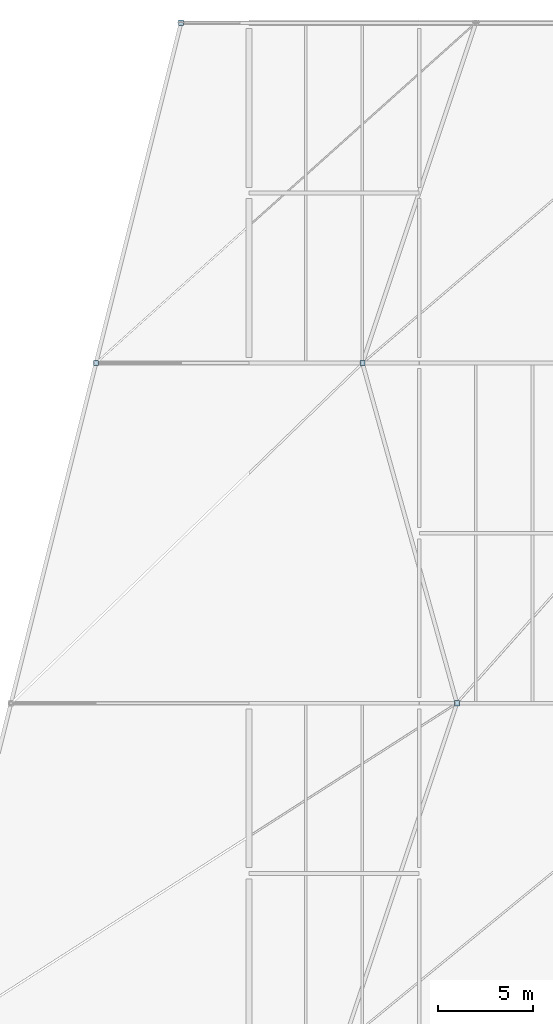
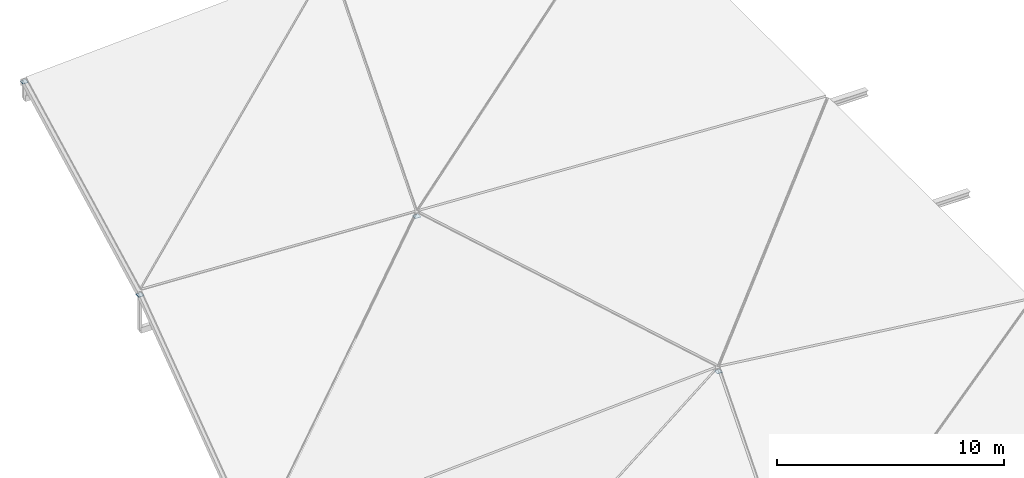
# One storey, part 16 of 18: 4 plates.
"""IFC4 building model written with IfcOpenShell, lengths in metres."""

from ifc_helpers import new_model, si_unit, direction, frame, origin, origin_2d, place, context, subcontext, project, spatial, rectangle, extrude, material, layer, layer_set, type_object, element, save


model = new_model("IFC4")

# Units and contexts
model_context = context("Model", 3, precision=1e-05, world=origin(), true_north=direction((0.0, 1.0)))
body_context = subcontext(model_context, "Body", "Model", "MODEL_VIEW")
ifc_project = project(units=[si_unit("LENGTHUNIT", "METRE"), si_unit("AREAUNIT", "SQUARE_METRE"), si_unit("VOLUMEUNIT", "CUBIC_METRE"), si_unit("PLANEANGLEUNIT", "RADIAN"), si_unit("MASSUNIT", "GRAM", prefix="KILO")], contexts=[model_context])

# Site, building, storey
site_placement = place(None, origin())
site = spatial("IfcSite", under=ifc_project, at=site_placement, CompositionType="ELEMENT")
building_placement = place(site_placement, origin())
building = spatial("IfcBuilding", under=site, at=building_placement, Name="Deido Ridge Mobility Hub", CompositionType="ELEMENT")
storey_placement = place(building_placement, frame((0.0, 0.0, 29.39990234375)))
storey = spatial("IfcBuildingStorey", under=building, at=storey_placement, Name="RF", CompositionType="ELEMENT", Elevation=29.39990234375)

# Plates
ifc_material = material(Name="Steel S355J2 EN 10025-2", Category="steel")
ifc_layer = layer(ifc_material, 0.02197265625, Name="Steel S355J2 EN 10025-2")
ifc_layer_set = layer_set([ifc_layer], Name="Steel S355J2 EN 10025-2")
plate_type = type_object("IfcPlateType", Name="PLT-CAP-22", PredefinedType="USERDEFINED", material=ifc_layer_set)
for number, where, z_axis, x_axis, name in (
    (1, (164.0, 18.0, 1.9541015625), (0.0, 0.0, 1.0), (1.0, 0.0, 0.0), "Hollow member sealed end-cap plate EC2-251"),
    (2, (144.89990234375, 36.0, 1.85400390625), (0.0, 0.0, 1.0), (1.0, 0.0, 0.0), "Hollow member sealed end-cap plate EC2-252"),
    (3, (159.0, 36.0, 1.154052734375), (0.0, 0.0, 1.0), (1.0, 0.0, 0.0), "Hollow member sealed end-cap plate EC2-253"),
    (4, (149.39990234375, 54.0, 0.85400390625), (0.0, 0.0, 1.0), (1.0, 0.0, 0.0), "Hollow member sealed end-cap plate EC2-254"),
):
    element("IfcPlate", number, at=place(storey_placement, frame(where, z_axis=z_axis, x_axis=x_axis)), inside=storey, type_object=plate_type, Name=name, ObjectType="END CAP PLATE", PredefinedType="USERDEFINED", context=body_context, shape_type="SweptSolid", body=[
        extrude(rectangle(XDim=0.280029296875, YDim=0.280029296875, at=origin_2d()), origin(), (0.0, 0.0, 1.0), 0.02197265625),
    ])

save(model, "model.ifc")
